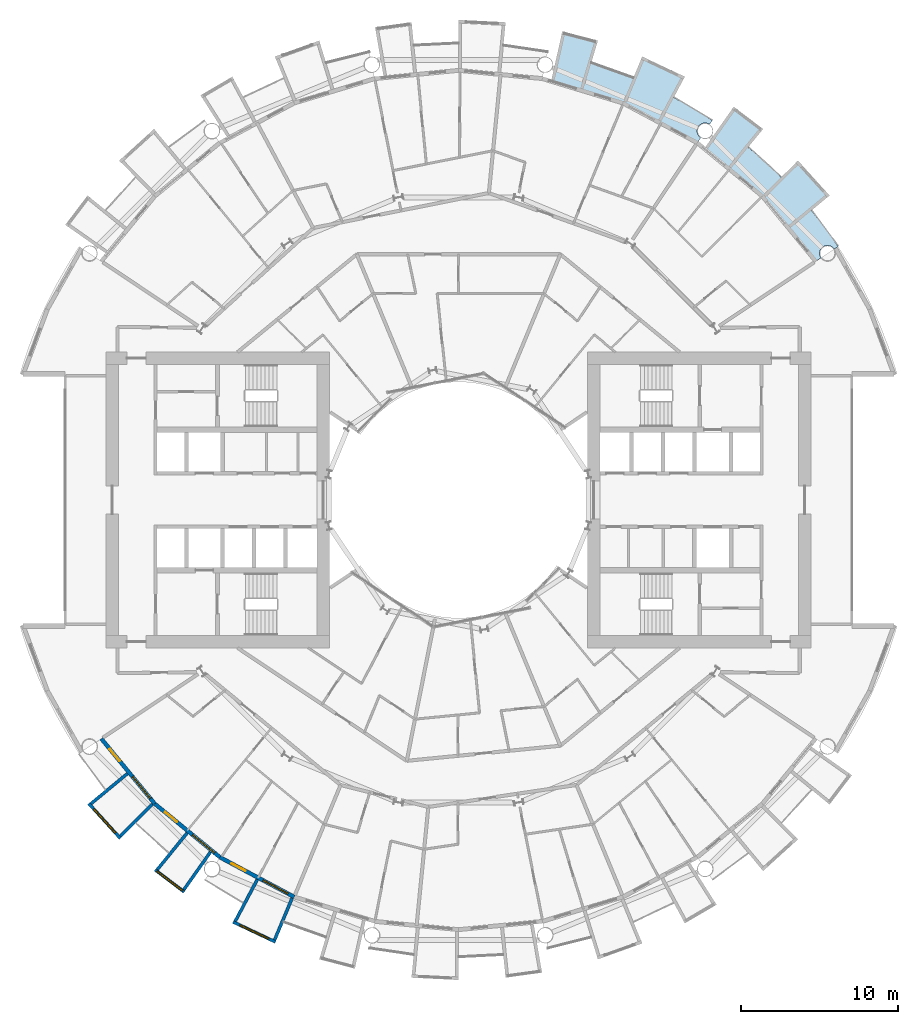
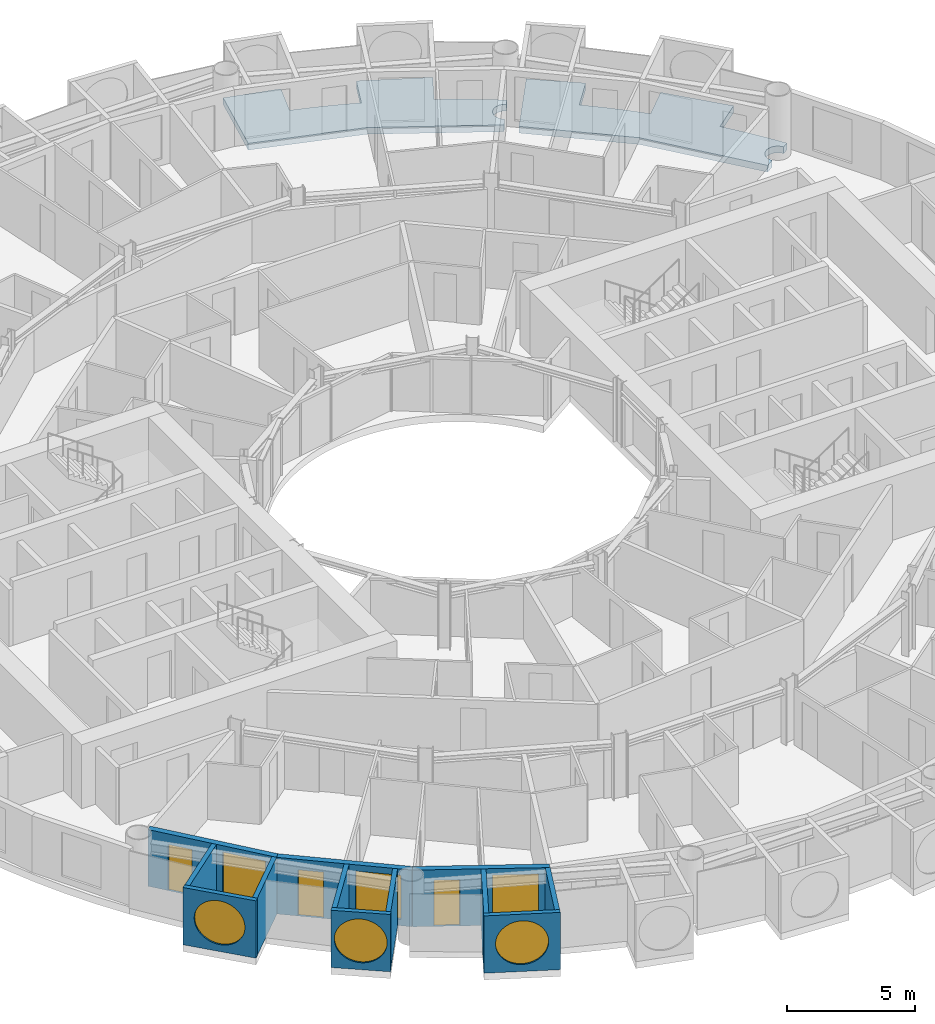
# One storey, part 12 of 26: 12 walls, 6 windows, 3 doors, 2 slabs, 9 openings.
"""IFC4 building model written with IfcOpenShell, lengths in metres."""

from ifc_helpers import new_model, si_unit, direction, frame, frame_2d, origin, place, context, subcontext, project, spatial, polyline, rectangle, circle, outline, extrude, material, layer, layer_set, type_object, element, fill, save


model = new_model("IFC4")

# Units and contexts
model_context = context("Model", 3, precision=1e-05, world=origin(), true_north=direction((0.0, 1.0)))
body_context = subcontext(model_context, "Body", "Model", "MODEL_VIEW")
ifc_project = project(units=[si_unit("LENGTHUNIT", "METRE"), si_unit("AREAUNIT", "SQUARE_METRE"), si_unit("VOLUMEUNIT", "CUBIC_METRE"), si_unit("PLANEANGLEUNIT", "RADIAN"), si_unit("MASSUNIT", "GRAM", prefix="KILO")], contexts=[model_context])

# Site, building, storey
site_placement = place(None, origin())
site = spatial("IfcSite", under=ifc_project, at=site_placement, CompositionType="ELEMENT")
building_placement = place(site_placement, origin())
building = spatial("IfcBuilding", under=site, at=building_placement, Name="Maasbend Ring Residences", CompositionType="ELEMENT")
storey_placement = place(building_placement, frame((0.0, 0.0, 35.0)))
storey = spatial("IfcBuildingStorey", under=building, at=storey_placement, Name="L09", CompositionType="ELEMENT", Elevation=35.0)

# Slabs
ifc_material_1 = material(Name="Concrete C40/50", Category="concrete")
ifc_layer_1 = layer(ifc_material_1, 0.199951171875)
ifc_layer_set_1 = layer_set([ifc_layer_1], Name="Concrete C40/50")
slab_type = type_object("IfcSlabType", Name="SL-LOGGIA", PredefinedType="FLOOR", material=ifc_layer_set_1)
slab_1_placement = place(storey_placement, frame((0.0, 0.0, -0.35009765625)))
element("IfcSlab", 1, at=slab_1_placement, inside=storey, type_object=slab_type, Name="Loggia floor 1", PredefinedType="FLOOR", context=body_context, shape_type="SweptSolid", body=[
    extrude(outline(polyline([(8.85400390625, 29.18701171875), (8.85400390625, 29.18701171875), (8.85400390625, 29.18701171875), (8.41796875, 27.751953125), (8.41796875, 27.751953125), (8.41796875, 27.751953125), (8.41796875, 27.751953125), (8.41796875, 27.751953125), (8.41796875, 27.751953125), (8.41796875, 27.7509765625), (8.41796875, 27.7509765625), (8.41796875, 27.7509765625), (8.41796875, 27.7509765625), (8.41796875, 27.7509765625), (8.4189453125, 27.7509765625), (8.4189453125, 27.7509765625), (8.4189453125, 27.7509765625), (8.4189453125, 27.7509765625), (8.4189453125, 27.7509765625), (8.4189453125, 27.7509765625), (9.322021484375, 27.4609375), (9.322021484375, 27.4609375), (10.215087890625, 27.14111328125), (10.215087890625, 27.14111328125), (11.096923828125, 26.79296875), (11.096923828125, 26.79296875), (11.096923828125, 26.79296875), (11.097900390625, 26.79296875), (11.097900390625, 26.79296875), (11.097900390625, 26.79296875), (11.097900390625, 26.79296875), (11.097900390625, 26.79296875), (11.097900390625, 26.79296875), (11.097900390625, 26.79296875), (11.097900390625, 26.79296875), (11.097900390625, 26.79296875), (11.097900390625, 26.79296875), (11.097900390625, 26.79296875), (11.097900390625, 26.79296875), (11.097900390625, 26.79296875), (11.097900390625, 26.79296875), (11.672119140625, 28.177978515625), (11.672119140625, 28.177978515625), (11.672119140625, 28.177978515625), (14.3779296875, 26.89892578125), (14.3779296875, 26.89892578125), (14.3779296875, 26.89892578125), (13.6708984375, 25.575927734375), (13.6708984375, 25.575927734375), (13.6708984375, 25.575927734375), (13.6708984375, 25.575927734375), (13.6708984375, 25.575927734375), (13.6708984375, 25.575927734375), (13.6708984375, 25.575927734375), (13.6708984375, 25.575927734375), (13.6708984375, 25.575927734375), (13.6708984375, 25.575927734375), (13.6708984375, 25.575927734375), (13.6708984375, 25.575927734375), (13.6708984375, 25.575927734375), (13.6708984375, 25.575927734375), (13.6708984375, 25.575927734375), (13.6708984375, 25.575927734375), (13.6708984375, 25.574951171875), (14.5, 25.114990234375), (14.5, 25.114990234375), (15.31396484375, 24.626953125), (15.31396484375, 24.626953125), (16.112060546875, 24.113037109375), (16.112060546875, 24.113037109375), (16.112060546875, 24.113037109375), (15.948974609375, 23.8701171875), (15.93896484375, 23.876953125), (15.927978515625, 23.883056640625), (15.9169921875, 23.888916015625), (15.906982421875, 23.89501953125), (15.89599609375, 23.90087890625), (15.884033203125, 23.906982421875), (15.873046875, 23.912109375), (15.862060546875, 23.9169921875), (15.85009765625, 23.9208984375), (15.837890625, 23.926025390625), (15.825927734375, 23.929931640625), (15.81494140625, 23.93408203125), (15.802978515625, 23.93701171875), (15.791015625, 23.93994140625), (15.778076171875, 23.943115234375), (15.76611328125, 23.946044921875), (15.75390625, 23.947998046875), (15.741943359375, 23.949951171875), (15.72900390625, 23.951904296875), (15.717041015625, 23.952880859375), (15.7041015625, 23.9541015625), (15.69189453125, 23.955078125), (15.679931640625, 23.955078125), (15.6669921875, 23.955078125), (15.655029296875, 23.955078125), (15.64208984375, 23.955078125), (15.6298828125, 23.9541015625), (15.616943359375, 23.952880859375), (15.60498046875, 23.951904296875), (15.593017578125, 23.949951171875), (15.580078125, 23.947998046875), (15.568115234375, 23.946044921875), (15.555908203125, 23.943115234375), (15.5439453125, 23.93994140625), (15.531982421875, 23.93701171875), (15.52001953125, 23.93408203125), (15.508056640625, 23.929931640625), (15.49609375, 23.926025390625), (15.48388671875, 23.9208984375), (15.472900390625, 23.9169921875), (15.4609375, 23.912109375), (15.449951171875, 23.906982421875), (15.43896484375, 23.90087890625), (15.427978515625, 23.89501953125), (15.4169921875, 23.888916015625), (15.406005859375, 23.883056640625), (15.39501953125, 23.876953125), (15.385009765625, 23.8701171875), (15.375, 23.863037109375), (15.364013671875, 23.85498046875), (15.35498046875, 23.847900390625), (15.344970703125, 23.840087890625), (15.3349609375, 23.83203125), (15.325927734375, 23.823974609375), (15.31689453125, 23.81494140625), (15.30810546875, 23.806884765625), (15.299072265625, 23.798095703125), (15.291015625, 23.7890625), (15.281982421875, 23.779052734375), (15.27392578125, 23.77001953125), (15.26708984375, 23.760009765625), (15.259033203125, 23.75), (15.251953125, 23.739990234375), (15.2451171875, 23.72998046875), (15.238037109375, 23.718994140625), (15.23095703125, 23.708984375), (15.22509765625, 23.697998046875), (15.218994140625, 23.68701171875), (15.212890625, 23.676025390625), (15.2080078125, 23.6650390625), (15.202880859375, 23.653076171875), (15.197998046875, 23.64208984375), (15.193115234375, 23.6298828125), (15.18896484375, 23.618896484375), (15.18505859375, 23.60693359375), (15.180908203125, 23.594970703125), (15.177978515625, 23.5830078125), (15.174072265625, 23.571044921875), (15.1708984375, 23.55908203125), (15.1689453125, 23.547119140625), (15.1669921875, 23.533935546875), (15.1650390625, 23.52197265625), (15.1630859375, 23.510009765625), (15.162109375, 23.4970703125), (15.159912109375, 23.485107421875), (15.159912109375, 23.471923828125), (15.158935546875, 23.4599609375), (15.158935546875, 23.447021484375), (15.158935546875, 23.43505859375), (15.159912109375, 23.422119140625), (15.159912109375, 23.409912109375), (15.162109375, 23.39794921875), (15.1630859375, 23.385009765625), (15.1650390625, 23.373046875), (15.1669921875, 23.361083984375), (15.1689453125, 23.347900390625), (15.1708984375, 23.3359375), (15.174072265625, 23.323974609375), (15.177978515625, 23.31201171875), (15.180908203125, 23.300048828125), (15.18505859375, 23.2880859375), (15.18896484375, 23.27587890625), (15.193115234375, 23.264892578125), (15.197998046875, 23.2529296875), (15.202880859375, 23.241943359375), (15.2080078125, 23.22998046875), (15.212890625, 23.218994140625), (15.218994140625, 23.2080078125), (15.22509765625, 23.197021484375), (15.23095703125, 23.18603515625), (15.238037109375, 23.176025390625), (15.2451171875, 23.1650390625), (15.251953125, 23.155029296875), (15.259033203125, 23.14501953125), (15.26708984375, 23.135009765625), (15.27392578125, 23.125), (15.281982421875, 23.115966796875), (15.291015625, 23.10595703125), (15.299072265625, 23.096923828125), (15.30810546875, 23.087890625), (15.31689453125, 23.0791015625), (15.325927734375, 23.071044921875), (15.3349609375, 23.06298828125), (15.344970703125, 23.054931640625), (15.35498046875, 23.047119140625), (15.364013671875, 23.0390625), (15.375, 23.031982421875), (15.385009765625, 23.02490234375), (15.1669921875, 22.698974609375), (15.1669921875, 22.698974609375), (15.1669921875, 22.698974609375), (12.806884765625, 23.9609375), (10.447021484375, 25.221923828125), (10.447021484375, 25.221923828125), (10.447021484375, 25.221923828125), (7.886962890625, 25.9990234375), (5.89111328125, 26.60400390625), (5.89111328125, 26.60400390625), (5.89111328125, 26.60400390625), (6.593994140625, 29.779052734375), (6.593994140625, 29.779052734375), (6.593994140625, 29.779052734375), (8.85400390625, 29.18701171875)])), origin(), (0.0, 0.0, 1.0), 0.320068359375),
])
slab_2_placement = place(storey_placement, frame((0.0, 0.0, -0.35009765625)))
element("IfcSlab", 2, at=slab_2_placement, inside=storey, type_object=slab_type, Name="Loggia floor 4", PredefinedType="FLOOR", context=body_context, shape_type="SweptSolid", body=[
    extrude(outline(polyline([(19.34912109375, 23.576904296875), (19.34912109375, 23.576904296875), (19.34912109375, 23.576904296875), (18.39794921875, 22.41796875), (18.39794921875, 22.41796875), (18.39794921875, 22.41796875), (18.39794921875, 22.41796875), (18.39794921875, 22.41796875), (18.39794921875, 22.4169921875), (18.39794921875, 22.4169921875), (18.39794921875, 22.4169921875), (18.39794921875, 22.4169921875), (18.39794921875, 22.4169921875), (18.39794921875, 22.4169921875), (18.39794921875, 22.4169921875), (18.39794921875, 22.4169921875), (18.39794921875, 22.4169921875), (18.39794921875, 22.4169921875), (18.39794921875, 22.4169921875), (18.39794921875, 22.4169921875), (19.12109375, 21.802978515625), (19.12109375, 21.802978515625), (19.823974609375, 21.166015625), (19.823974609375, 21.166015625), (20.506103515625, 20.506103515625), (20.506103515625, 20.506103515625), (20.506103515625, 20.506103515625), (20.506103515625, 20.506103515625), (20.506103515625, 20.506103515625), (20.506103515625, 20.506103515625), (20.506103515625, 20.506103515625), (20.506103515625, 20.506103515625), (20.506103515625, 20.506103515625), (20.506103515625, 20.506103515625), (20.506103515625, 20.506103515625), (20.506103515625, 20.506103515625), (20.506103515625, 20.506103515625), (20.506103515625, 20.506103515625), (20.506103515625, 20.506103515625), (20.506103515625, 20.506103515625), (20.506103515625, 20.506103515625), (21.56689453125, 21.56689453125), (21.56689453125, 21.56689453125), (21.56689453125, 21.56689453125), (23.576904296875, 19.34912109375), (23.576904296875, 19.34912109375), (23.576904296875, 19.34912109375), (22.41796875, 18.39794921875), (22.41796875, 18.39794921875), (22.41796875, 18.39794921875), (22.41796875, 18.39794921875), (22.41796875, 18.39794921875), (22.41796875, 18.39794921875), (22.41796875, 18.39697265625), (22.41796875, 18.39697265625), (22.41796875, 18.39697265625), (22.41796875, 18.39697265625), (22.41796875, 18.39697265625), (22.41796875, 18.39697265625), (22.41796875, 18.39697265625), (22.41796875, 18.39697265625), (22.41796875, 18.39697265625), (22.41796875, 18.39697265625), (22.41796875, 18.39697265625), (23.007080078125, 17.654052734375), (23.007080078125, 17.654052734375), (23.572998046875, 16.89208984375), (23.572998046875, 16.89208984375), (24.113037109375, 16.112060546875), (24.113037109375, 16.112060546875), (24.113037109375, 16.112060546875), (23.8701171875, 15.948974609375), (23.8701171875, 15.948974609375), (23.863037109375, 15.9599609375), (23.85498046875, 15.969970703125), (23.847900390625, 15.97998046875), (23.840087890625, 15.989013671875), (23.83203125, 15.9990234375), (23.823974609375, 16.008056640625), (23.81494140625, 16.01708984375), (23.806884765625, 16.02587890625), (23.798095703125, 16.034912109375), (23.7890625, 16.0439453125), (23.779052734375, 16.052001953125), (23.77001953125, 16.06005859375), (23.760009765625, 16.068115234375), (23.75, 16.074951171875), (23.739990234375, 16.08203125), (23.72998046875, 16.089111328125), (23.718994140625, 16.095947265625), (23.708984375, 16.10302734375), (23.697998046875, 16.10888671875), (23.68701171875, 16.114990234375), (23.676025390625, 16.12109375), (23.6650390625, 16.1259765625), (23.653076171875, 16.132080078125), (23.64208984375, 16.135986328125), (23.6298828125, 16.14111328125), (23.618896484375, 16.14501953125), (23.60693359375, 16.14892578125), (23.594970703125, 16.153076171875), (23.5830078125, 16.156982421875), (23.571044921875, 16.159912109375), (23.55908203125, 16.1630859375), (23.547119140625, 16.1650390625), (23.533935546875, 16.16796875), (23.52197265625, 16.169921875), (23.510009765625, 16.1708984375), (23.4970703125, 16.173095703125), (23.485107421875, 16.174072265625), (23.471923828125, 16.174072265625), (23.4599609375, 16.175048828125), (23.447021484375, 16.175048828125), (23.43505859375, 16.175048828125), (23.422119140625, 16.174072265625), (23.409912109375, 16.174072265625), (23.39794921875, 16.173095703125), (23.385009765625, 16.1708984375), (23.373046875, 16.169921875), (23.361083984375, 16.16796875), (23.347900390625, 16.1650390625), (23.3359375, 16.1630859375), (23.323974609375, 16.159912109375), (23.31201171875, 16.156982421875), (23.300048828125, 16.153076171875), (23.2880859375, 16.14892578125), (23.27587890625, 16.14501953125), (23.264892578125, 16.14111328125), (23.2529296875, 16.135986328125), (23.241943359375, 16.132080078125), (23.22998046875, 16.1259765625), (23.218994140625, 16.12109375), (23.2080078125, 16.114990234375), (23.197021484375, 16.10888671875), (23.18603515625, 16.10302734375), (23.176025390625, 16.095947265625), (23.1650390625, 16.089111328125), (23.155029296875, 16.08203125), (23.14501953125, 16.074951171875), (23.135009765625, 16.068115234375), (23.125, 16.06005859375), (23.115966796875, 16.052001953125), (23.10595703125, 16.0439453125), (23.096923828125, 16.034912109375), (23.087890625, 16.02587890625), (23.0791015625, 16.01708984375), (23.071044921875, 16.008056640625), (23.06298828125, 15.9990234375), (23.054931640625, 15.989013671875), (23.047119140625, 15.97998046875), (23.0390625, 15.969970703125), (23.031982421875, 15.9599609375), (23.02490234375, 15.948974609375), (23.01806640625, 15.93896484375), (23.011962890625, 15.927978515625), (23.0048828125, 15.9169921875), (22.9990234375, 15.906982421875), (22.993896484375, 15.89599609375), (22.988037109375, 15.884033203125), (22.98291015625, 15.873046875), (22.97802734375, 15.862060546875), (22.972900390625, 15.85009765625), (22.968994140625, 15.837890625), (22.965087890625, 15.825927734375), (22.9609375, 15.81494140625), (22.9580078125, 15.802978515625), (22.955078125, 15.791015625), (22.951904296875, 15.778076171875), (22.948974609375, 15.76611328125), (22.947021484375, 15.75390625), (22.945068359375, 15.741943359375), (22.943115234375, 15.72900390625), (22.94189453125, 15.717041015625), (22.94091796875, 15.7041015625), (22.93994140625, 15.69189453125), (22.93994140625, 15.679931640625), (22.93896484375, 15.6669921875), (22.93994140625, 15.655029296875), (22.93994140625, 15.64208984375), (22.94091796875, 15.6298828125), (22.94189453125, 15.616943359375), (22.943115234375, 15.60498046875), (22.945068359375, 15.593017578125), (22.947021484375, 15.580078125), (22.948974609375, 15.568115234375), (22.951904296875, 15.555908203125), (22.955078125, 15.5439453125), (22.9580078125, 15.531982421875), (22.9609375, 15.52001953125), (22.965087890625, 15.508056640625), (22.968994140625, 15.49609375), (22.972900390625, 15.48388671875), (22.97802734375, 15.472900390625), (22.98291015625, 15.4609375), (22.988037109375, 15.449951171875), (22.993896484375, 15.43896484375), (22.9990234375, 15.427978515625), (23.0048828125, 15.4169921875), (23.011962890625, 15.406005859375), (23.01806640625, 15.39501953125), (23.02490234375, 15.385009765625), (23.02490234375, 15.385009765625), (22.698974609375, 15.1669921875), (22.698974609375, 15.1669921875), (22.698974609375, 15.1669921875), (21.001953125, 17.236083984375), (19.303955078125, 19.303955078125), (19.303955078125, 19.303955078125), (19.303955078125, 19.303955078125), (17.236083984375, 21.001953125), (15.623046875, 22.324951171875), (15.623046875, 22.324951171875), (15.623046875, 22.324951171875), (17.488037109375, 24.989013671875), (17.488037109375, 24.989013671875), (17.488037109375, 24.989013671875), (19.34912109375, 23.576904296875)])), origin(), (0.0, 0.0, 1.0), 0.320068359375),
])

# Wall, opening, window
ifc_material_2 = material(Name="Pale anodised aluminium panel", Category="aluminium")
ifc_layer_2 = layer(ifc_material_2, 0.199951171875)
ifc_layer_set_2 = layer_set([ifc_layer_2], Name="EW-BOX")
wall_type_1 = type_object("IfcWallType", Name="EW-BOX", PredefinedType="SOLIDWALL", material=ifc_layer_set_2)
wall_1_placement = place(storey_placement, frame((-23.5029296875, -19.281982421875, -0.030029296875), z_axis=(0.0, 0.0, 1.0), x_axis=(0.671506829416, -0.740998365753, 0.0)))
wall_1 = element("IfcWall", 3, at=wall_1_placement, inside=storey, type_object=wall_type_1, Name="Box front S02", PredefinedType="SOLIDWALL", context=body_context, shape_type="SweptSolid", body=[
    extrude(rectangle(XDim=2.9931640625, YDim=0.199951171875, at=frame_2d((1.49658203125, 0.0))), origin(), (0.0, 0.0, 1.0), 2.72998046875),
])
opening_1_placement = place(wall_1_placement, frame((0.45654296875, 0.0, 0.330078125)))
opening_1 = element("IfcOpeningElement", 4, at=opening_1_placement, cuts=wall_1, Name="Opening W-RD", PredefinedType="OPENING", context=body_context, shape_type="SweptSolid", body=[
    extrude(circle(Radius=1.0400390625, at=frame_2d((1.0400390625, 1.0400390625))), frame((0.0, 0.10986328125, 0.0), z_axis=(0.0, -1.0, 0.0), x_axis=(1.0, 0.0, 0.0)), (0.0, 0.0, 1.0), 0.219970703125),
])
ifc_material_3 = material(Name="Aluminium and clear glass", Category="aluminium")
window_type_1 = type_object("IfcWindowType", Name="W-RD", PartitioningType="SINGLE_PANEL", PredefinedType="WINDOW", material=ifc_material_3)
window_1_placement = place(opening_1_placement, origin())
window_1 = element("IfcWindow", 5, at=window_1_placement, inside=storey, type_object=window_type_1, Name="Round window S02", OverallHeight=2.080078125, OverallWidth=2.080078125, PartitioningType="SINGLE_PANEL", PredefinedType="WINDOW", context=body_context, shape_type="SweptSolid", body=[
    extrude(circle(Radius=1.0400390625, at=frame_2d((1.0400390625, 1.0400390625))), frame((0.0, 0.030029296875, 0.0), z_axis=(0.0, -1.0, 0.0), x_axis=(1.0, 0.0, 0.0)), (0.0, 0.0, 1.0), 0.06005859375),
])
fill(opening_1, window_1)

# Walls
wall_2_placement = place(storey_placement, frame((-21.041015625, -17.384033203125, -0.030029296875), z_axis=(0.0, 0.0, 1.0), x_axis=(-0.770784861449, -0.63709551667, 0.0)))
element("IfcWall", 6, at=wall_2_placement, inside=storey, type_object=wall_type_1, Name="Box side wall S02 left", PredefinedType="SOLIDWALL", context=body_context, shape_type="SweptSolid", body=[
    extrude(rectangle(XDim=3.005859375, YDim=0.199951171875, at=frame_2d((1.5029296875, 0.0))), origin(), (0.0, 0.0, 1.0), 2.72998046875),
])
wall_3_placement = place(storey_placement, frame((-19.449951171875, -19.322998046875, -0.030029296875), z_axis=(0.0, 0.0, 1.0), x_axis=(-0.709727076896, -0.704476739375, 0.0)))
element("IfcWall", 7, at=wall_3_placement, inside=storey, type_object=wall_type_1, Name="Box side wall S02 right", PredefinedType="SOLIDWALL", context=body_context, shape_type="SweptSolid", body=[
    extrude(rectangle(XDim=2.883056640625, YDim=0.199951171875, at=frame_2d((1.44140625, 0.0))), origin(), (0.0, 0.0, 1.0), 2.72998046875),
])

# Wall, opening, window
wall_4_placement = place(storey_placement, frame((-19.2890625, -23.4970703125, -0.030029296875), z_axis=(0.0, 0.0, 1.0), x_axis=(0.796842165306, -0.60418752353, 0.0)))
wall_4 = element("IfcWall", 8, at=wall_4_placement, inside=storey, type_object=wall_type_1, Name="Box front S04", PredefinedType="SOLIDWALL", context=body_context, shape_type="SweptSolid", body=[
    extrude(rectangle(XDim=2.3369140625, YDim=0.199951171875, at=frame_2d((1.16845703125, 0.0))), origin(), (0.0, 0.0, 1.0), 2.72998046875),
])
opening_2_placement = place(wall_4_placement, frame((0.128173828125, 0.0, 0.330078125)))
opening_2 = element("IfcOpeningElement", 9, at=opening_2_placement, cuts=wall_4, Name="Opening W-RD", PredefinedType="OPENING", context=body_context, shape_type="SweptSolid", body=[
    extrude(circle(Radius=1.0400390625, at=frame_2d((1.0400390625, 1.0400390625))), frame((0.0, 0.10986328125, 0.0), z_axis=(0.0, -1.0, 0.0), x_axis=(1.0, 0.0, 0.0)), (0.0, 0.0, 1.0), 0.219970703125),
])
window_2_placement = place(opening_2_placement, origin())
window_2 = element("IfcWindow", 10, at=window_2_placement, inside=storey, type_object=window_type_1, Name="Round window S04", OverallHeight=2.080078125, OverallWidth=2.080078125, PartitioningType="SINGLE_PANEL", PredefinedType="WINDOW", context=body_context, shape_type="SweptSolid", body=[
    extrude(circle(Radius=1.0400390625, at=frame_2d((1.0400390625, 1.0400390625))), frame((0.0, 0.030029296875, 0.0), z_axis=(0.0, -1.0, 0.0), x_axis=(1.0, 0.0, 0.0)), (0.0, 0.0, 1.0), 0.06005859375),
])
fill(opening_2, window_2)

# Walls
wall_5_placement = place(storey_placement, frame((-17.24609375, -21.155029296875, -0.030029296875), z_axis=(0.0, 0.0, 1.0), x_axis=(-0.631741648902, -0.775179004516, 0.0)))
element("IfcWall", 11, at=wall_5_placement, inside=storey, type_object=wall_type_1, Name="Box side wall S04 left", PredefinedType="SOLIDWALL", context=body_context, shape_type="SweptSolid", body=[
    extrude(rectangle(XDim=3.005859375, YDim=0.199951171875, at=frame_2d((1.5029296875, 0.0))), origin(), (0.0, 0.0, 1.0), 2.72998046875),
])
wall_6_placement = place(storey_placement, frame((-15.764892578125, -22.3701171875, -0.030029296875), z_axis=(0.0, 0.0, 1.0), x_axis=(-0.576274612209, -0.817256123454, 0.0)))
element("IfcWall", 12, at=wall_6_placement, inside=storey, type_object=wall_type_1, Name="Box side wall S04 right", PredefinedType="SOLIDWALL", context=body_context, shape_type="SweptSolid", body=[
    extrude(rectangle(XDim=2.932861328125, YDim=0.199951171875, at=frame_2d((1.46630859375, 0.0))), origin(), (0.0, 0.0, 1.0), 2.72998046875),
])

# Wall, opening, window
wall_7_placement = place(storey_placement, frame((-14.3349609375, -26.80810546875, -0.030029296875), z_axis=(0.0, 0.0, 1.0), x_axis=(0.904000060331, -0.427532327342, 0.0)))
wall_7 = element("IfcWall", 13, at=wall_7_placement, inside=storey, type_object=wall_type_1, Name="Box front S06", PredefinedType="SOLIDWALL", context=body_context, shape_type="SweptSolid", body=[
    extrude(rectangle(XDim=2.993408203125, YDim=0.199951171875, at=frame_2d((1.49658203125, 0.0))), origin(), (0.0, 0.0, 1.0), 2.72998046875),
])
opening_3_placement = place(wall_7_placement, frame((0.45654296875, 0.0, 0.330078125)))
opening_3 = element("IfcOpeningElement", 14, at=opening_3_placement, cuts=wall_7, Name="Opening W-RD", PredefinedType="OPENING", context=body_context, shape_type="SweptSolid", body=[
    extrude(circle(Radius=1.0400390625, at=frame_2d((1.0400390625, 1.0400390625))), frame((0.0, 0.10986328125, 0.0), z_axis=(0.0, -1.0, 0.0), x_axis=(1.0, 0.0, 0.0)), (0.0, 0.0, 1.0), 0.219970703125),
])
window_3_placement = place(opening_3_placement, origin())
window_3 = element("IfcWindow", 15, at=window_3_placement, inside=storey, type_object=window_type_1, Name="Round window S06", OverallHeight=2.080078125, OverallWidth=2.080078125, PartitioningType="SINGLE_PANEL", PredefinedType="WINDOW", context=body_context, shape_type="SweptSolid", body=[
    extrude(circle(Radius=1.0400390625, at=frame_2d((1.0400390625, 1.0400390625))), frame((0.0, 0.030029296875, 0.0), z_axis=(0.0, -1.0, 0.0), x_axis=(1.0, 0.0, 0.0)), (0.0, 0.0, 1.0), 0.06005859375),
])
fill(opening_3, window_3)

# Walls
wall_8_placement = place(storey_placement, frame((-12.787109375, -24.113037109375, -0.030029296875), z_axis=(0.0, 0.0, 1.0), x_axis=(-0.468365282436, -0.883534924159, 0.0)))
element("IfcWall", 16, at=wall_8_placement, inside=storey, type_object=wall_type_1, Name="Box side wall S06 left", PredefinedType="SOLIDWALL", context=body_context, shape_type="SweptSolid", body=[
    extrude(rectangle(XDim=3.006103515625, YDim=0.199951171875, at=frame_2d((1.5029296875, 0.0))), origin(), (0.0, 0.0, 1.0), 2.72998046875),
])
wall_9_placement = place(storey_placement, frame((-10.574951171875, -25.294921875, -0.030029296875), z_axis=(0.0, 0.0, 1.0), x_axis=(-0.385697364644, -0.922625353492, 0.0)))
element("IfcWall", 17, at=wall_9_placement, inside=storey, type_object=wall_type_1, Name="Box side wall S06 right", PredefinedType="SOLIDWALL", context=body_context, shape_type="SweptSolid", body=[
    extrude(rectangle(XDim=2.88330078125, YDim=0.199951171875, at=frame_2d((1.441650390625, 0.0))), origin(), (0.0, 0.0, 1.0), 2.72998046875),
])

# Wall, openings, door, window
ifc_material_4 = material(Name="Aluminium clad insulated panel", Category="aluminium")
ifc_layer_3 = layer(ifc_material_4, 0.25)
ifc_layer_set_3 = layer_set([ifc_layer_3], Name="EW-GL")
wall_type_2 = type_object("IfcWallType", Name="EW-GL", PredefinedType="SOLIDWALL", material=ifc_layer_set_3)
wall_10_placement = place(storey_placement, frame((-22.698974609375, -15.1669921875, 0.0), z_axis=(0.0, 0.0, 1.0), x_axis=(0.634382322723, -0.773019449054, 0.0)))
wall_10 = element("IfcWall", 18, at=wall_10_placement, inside=storey, type_object=wall_type_2, Name="External wall S01", PredefinedType="SOLIDWALL", context=body_context, shape_type="SweptSolid", body=[
    extrude(rectangle(XDim=5.351806640625, YDim=0.25, at=frame_2d((2.67578125, 0.0))), origin(), (0.0, 0.0, 1.0), 2.699951171875),
])
opening_4_placement = place(wall_10_placement, frame((0.841064453125, 0.0, 0.0)))
opening_4 = element("IfcOpeningElement", 19, at=opening_4_placement, cuts=wall_10, Name="Opening D-LG", PredefinedType="OPENING", context=body_context, shape_type="SweptSolid", body=[
    extrude(rectangle(XDim=1.0, YDim=2.199951171875, at=frame_2d((0.5, 1.10009765625))), frame((0.0, 0.135009765625, 0.0), z_axis=(0.0, -1.0, 0.0), x_axis=(1.0, 0.0, 0.0)), (0.0, 0.0, 1.0), 0.27001953125),
])
opening_5_placement = place(wall_10_placement, frame((3.110595703125, 0.0, 0.300048828125)))
opening_5 = element("IfcOpeningElement", 20, at=opening_5_placement, cuts=wall_10, Name="Opening W-BX", PredefinedType="OPENING", context=body_context, shape_type="SweptSolid", body=[
    extrude(rectangle(XDim=1.800048828125, YDim=2.10009765625, at=frame_2d((0.89990234375, 1.050048828125))), frame((0.0, 0.135009765625, 0.0), z_axis=(0.0, -1.0, 0.0), x_axis=(1.0, 0.0, 0.0)), (0.0, 0.0, 1.0), 0.27001953125),
])
ifc_material_5 = material(Name="Aluminium and clear glass", Category="aluminium")
door_type = type_object("IfcDoorType", Name="D-LG", OperationType="SINGLE_SWING_LEFT", PredefinedType="DOOR", material=ifc_material_5)
door_1_placement = place(opening_4_placement, origin())
door_1 = element("IfcDoor", 21, at=door_1_placement, inside=storey, type_object=door_type, Name="Loggia door S01", OperationType="SINGLE_SWING_LEFT", OverallHeight=2.199951171875, OverallWidth=1.0, PredefinedType="DOOR", context=body_context, shape_type="SweptSolid", body=[
    extrude(rectangle(XDim=1.0, YDim=2.199951171875, at=frame_2d((0.5, 1.10009765625))), frame((0.0, 0.02490234375, 0.0), z_axis=(0.0, -1.0, 0.0), x_axis=(1.0, 0.0, 0.0)), (0.0, 0.0, 1.0), 0.050048828125),
])
fill(opening_4, door_1)
ifc_material_6 = material(Name="Aluminium and clear glass", Category="aluminium")
window_type_2 = type_object("IfcWindowType", Name="W-BX", PartitioningType="DOUBLE_PANEL_VERTICAL", PredefinedType="WINDOW", material=ifc_material_6)
window_4_placement = place(opening_5_placement, origin())
window_4 = element("IfcWindow", 22, at=window_4_placement, inside=storey, type_object=window_type_2, Name="Window S02 room to box", OverallHeight=2.10009765625, OverallWidth=1.800048828125, PartitioningType="SINGLE_PANEL", PredefinedType="WINDOW", context=body_context, shape_type="SweptSolid", body=[
    extrude(rectangle(XDim=1.800048828125, YDim=2.10009765625, at=frame_2d((0.89990234375, 1.050048828125))), frame((0.0, 0.030029296875, 0.0), z_axis=(0.0, -1.0, 0.0), x_axis=(1.0, 0.0, 0.0)), (0.0, 0.0, 1.0), 0.06005859375),
])
fill(opening_5, window_4)

wall_11_placement = place(storey_placement, frame((-19.303955078125, -19.303955078125, 0.0), z_axis=(0.0, 0.0, 1.0), x_axis=(0.773019449054, -0.634382322723, 0.0)))
wall_11 = element("IfcWall", 23, at=wall_11_placement, inside=storey, type_object=wall_type_2, Name="External wall S02", PredefinedType="SOLIDWALL", context=body_context, shape_type="SweptSolid", body=[
    extrude(rectangle(XDim=5.351806640625, YDim=0.25, at=frame_2d((2.67578125, 0.0))), origin(), (0.0, 0.0, 1.0), 2.699951171875),
])
opening_6_placement = place(wall_11_placement, frame((0.841064453125, 0.0, 0.0)))
opening_6 = element("IfcOpeningElement", 24, at=opening_6_placement, cuts=wall_11, Name="Opening D-LG", PredefinedType="OPENING", context=body_context, shape_type="SweptSolid", body=[
    extrude(rectangle(XDim=1.0, YDim=2.199951171875, at=frame_2d((0.5, 1.10009765625))), frame((0.0, 0.135009765625, 0.0), z_axis=(0.0, -1.0, 0.0), x_axis=(1.0, 0.0, 0.0)), (0.0, 0.0, 1.0), 0.27001953125),
])
opening_7_placement = place(wall_11_placement, frame((3.110595703125, 0.0, 0.300048828125)))
opening_7 = element("IfcOpeningElement", 25, at=opening_7_placement, cuts=wall_11, Name="Opening W-BX", PredefinedType="OPENING", context=body_context, shape_type="SweptSolid", body=[
    extrude(rectangle(XDim=1.800048828125, YDim=2.10009765625, at=frame_2d((0.89990234375, 1.050048828125))), frame((0.0, 0.135009765625, 0.0), z_axis=(0.0, -1.0, 0.0), x_axis=(1.0, 0.0, 0.0)), (0.0, 0.0, 1.0), 0.27001953125),
])
door_2_placement = place(opening_6_placement, origin())
door_2 = element("IfcDoor", 26, at=door_2_placement, inside=storey, type_object=door_type, Name="Loggia door S03", OperationType="SINGLE_SWING_LEFT", OverallHeight=2.199951171875, OverallWidth=1.0, PredefinedType="DOOR", context=body_context, shape_type="SweptSolid", body=[
    extrude(rectangle(XDim=1.0, YDim=2.199951171875, at=frame_2d((0.5, 1.10009765625))), frame((0.0, 0.02490234375, 0.0), z_axis=(0.0, -1.0, 0.0), x_axis=(1.0, 0.0, 0.0)), (0.0, 0.0, 1.0), 0.050048828125),
])
fill(opening_6, door_2)
window_5_placement = place(opening_7_placement, origin())
window_5 = element("IfcWindow", 27, at=window_5_placement, inside=storey, type_object=window_type_2, Name="Window S04 room to box", OverallHeight=2.10009765625, OverallWidth=1.800048828125, PartitioningType="SINGLE_PANEL", PredefinedType="WINDOW", context=body_context, shape_type="SweptSolid", body=[
    extrude(rectangle(XDim=1.800048828125, YDim=2.10009765625, at=frame_2d((0.89990234375, 1.050048828125))), frame((0.0, 0.030029296875, 0.0), z_axis=(0.0, -1.0, 0.0), x_axis=(1.0, 0.0, 0.0)), (0.0, 0.0, 1.0), 0.06005859375),
])
fill(opening_7, window_5)

wall_12_placement = place(storey_placement, frame((-15.1669921875, -22.698974609375, 0.0), z_axis=(0.0, 0.0, 1.0), x_axis=(0.881915646801, -0.471407246368, 0.0)))
wall_12 = element("IfcWall", 28, at=wall_12_placement, inside=storey, type_object=wall_type_2, Name="External wall S03", PredefinedType="SOLIDWALL", context=body_context, shape_type="SweptSolid", body=[
    extrude(rectangle(XDim=5.35205078125, YDim=0.25, at=frame_2d((2.676025390625, 0.0))), origin(), (0.0, 0.0, 1.0), 2.699951171875),
])
opening_8_placement = place(wall_12_placement, frame((0.841064453125, 0.0, 0.0)))
opening_8 = element("IfcOpeningElement", 29, at=opening_8_placement, cuts=wall_12, Name="Opening D-LG", PredefinedType="OPENING", context=body_context, shape_type="SweptSolid", body=[
    extrude(rectangle(XDim=1.0, YDim=2.199951171875, at=frame_2d((0.5, 1.10009765625))), frame((0.0, 0.135009765625, 0.0), z_axis=(0.0, -1.0, 0.0), x_axis=(1.0, 0.0, 0.0)), (0.0, 0.0, 1.0), 0.27001953125),
])
opening_9_placement = place(wall_12_placement, frame((3.110595703125, 0.0, 0.300048828125)))
opening_9 = element("IfcOpeningElement", 30, at=opening_9_placement, cuts=wall_12, Name="Opening W-BX", PredefinedType="OPENING", context=body_context, shape_type="SweptSolid", body=[
    extrude(rectangle(XDim=1.800048828125, YDim=2.10009765625, at=frame_2d((0.89990234375, 1.050048828125))), frame((0.0, 0.135009765625, 0.0), z_axis=(0.0, -1.0, 0.0), x_axis=(1.0, 0.0, 0.0)), (0.0, 0.0, 1.0), 0.27001953125),
])
door_3_placement = place(opening_8_placement, origin())
door_3 = element("IfcDoor", 31, at=door_3_placement, inside=storey, type_object=door_type, Name="Loggia door S05", OperationType="SINGLE_SWING_LEFT", OverallHeight=2.199951171875, OverallWidth=1.0, PredefinedType="DOOR", context=body_context, shape_type="SweptSolid", body=[
    extrude(rectangle(XDim=1.0, YDim=2.199951171875, at=frame_2d((0.5, 1.10009765625))), frame((0.0, 0.02490234375, 0.0), z_axis=(0.0, -1.0, 0.0), x_axis=(1.0, 0.0, 0.0)), (0.0, 0.0, 1.0), 0.050048828125),
])
fill(opening_8, door_3)
window_6_placement = place(opening_9_placement, origin())
window_6 = element("IfcWindow", 32, at=window_6_placement, inside=storey, type_object=window_type_2, Name="Window S06 room to box", OverallHeight=2.10009765625, OverallWidth=1.800048828125, PartitioningType="SINGLE_PANEL", PredefinedType="WINDOW", context=body_context, shape_type="SweptSolid", body=[
    extrude(rectangle(XDim=1.800048828125, YDim=2.10009765625, at=frame_2d((0.89990234375, 1.050048828125))), frame((0.0, 0.030029296875, 0.0), z_axis=(0.0, -1.0, 0.0), x_axis=(1.0, 0.0, 0.0)), (0.0, 0.0, 1.0), 0.06005859375),
])
fill(opening_9, window_6)

save(model, "model.ifc")
